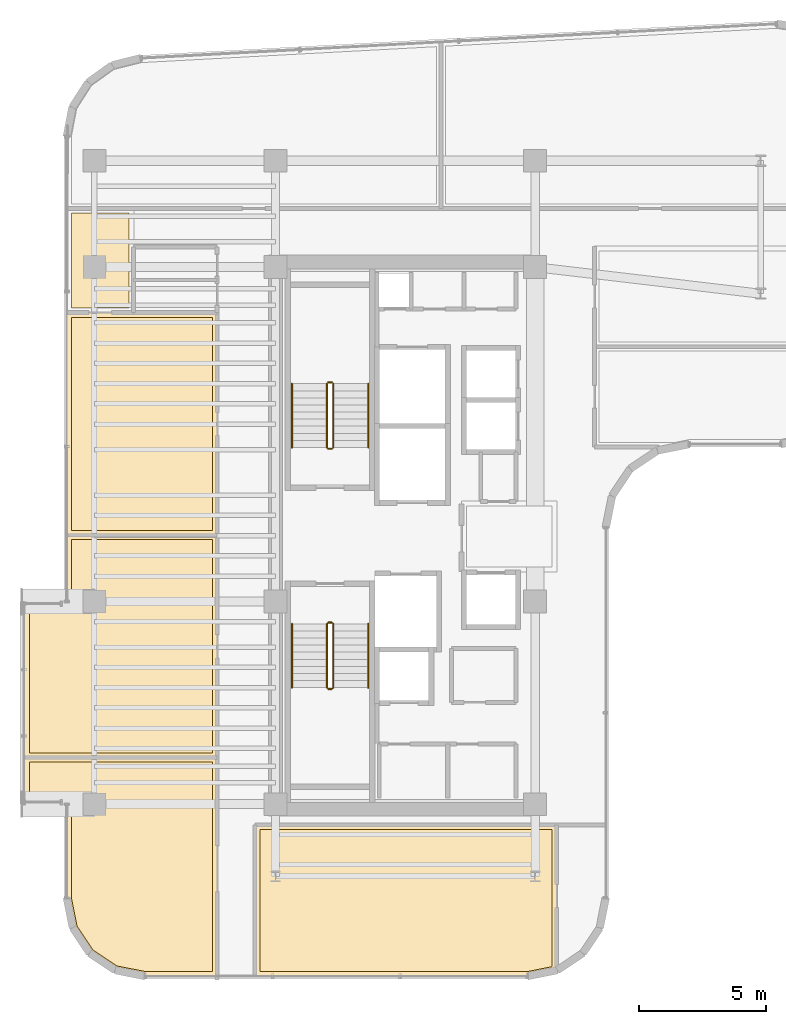
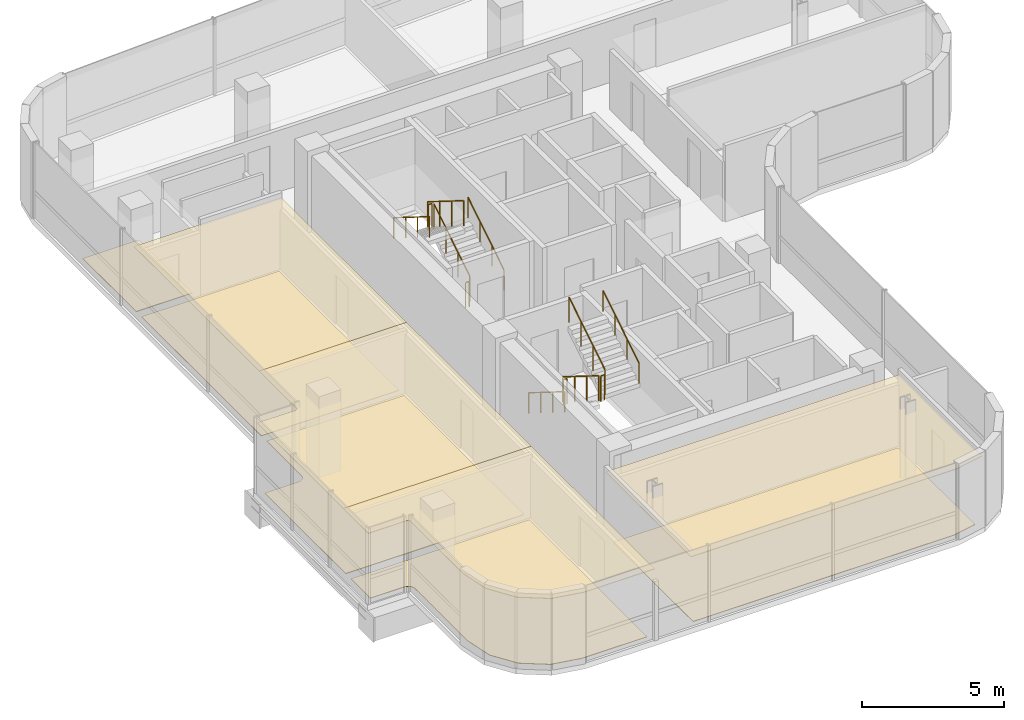
# One storey, part 21 of 22: 12 railings, 9 coverings.
"""IFC4 building model written with IfcOpenShell, lengths in metres."""

from ifc_helpers import new_model, si_unit, direction, frame, origin, origin_2d, place, context, subcontext, project, spatial, polyline, circle, outline, extrude, material, layer, layer_set, type_object, element, save


model = new_model("IFC4")

# Units and contexts
model_context = context("Model", 3, precision=1e-05, world=origin(), true_north=direction((0.0, 1.0)))
body_context = subcontext(model_context, "Body", "Model", "MODEL_VIEW")
ifc_project = project(units=[si_unit("LENGTHUNIT", "METRE"), si_unit("AREAUNIT", "SQUARE_METRE"), si_unit("VOLUMEUNIT", "CUBIC_METRE"), si_unit("PLANEANGLEUNIT", "RADIAN"), si_unit("MASSUNIT", "GRAM", prefix="KILO")], contexts=[model_context])

# Site, building, storey
site_placement = place(None, origin())
site = spatial("IfcSite", under=ifc_project, at=site_placement, CompositionType="ELEMENT")
building_placement = place(site_placement, origin())
building = spatial("IfcBuilding", under=site, at=building_placement, Name="Valdorenza Pilgrim Sanctuary Tower", CompositionType="ELEMENT")
storey_placement = place(building_placement, frame((0.0, 0.0, 237.0)))
storey = spatial("IfcBuildingStorey", under=building, at=storey_placement, Name="L61", CompositionType="ELEMENT", Elevation=237.0)

# Coverings
ifc_material_1 = material(Name="Micro-perforated acoustic mineral ceiling tile", Category="gypsum")
ifc_layer_1 = layer(ifc_material_1, 0.02490234375, Name="Micro-perforated acoustic mineral ceiling tile")
ifc_layer_set_1 = layer_set([ifc_layer_1], Name="Micro-perforated acoustic mineral ceiling tile")
covering_type_1 = type_object("IfcCoveringType", Name="COV-CLG-ACU", PredefinedType="CEILING", material=ifc_layer_set_1)
covering_1_placement = place(storey_placement, frame((0.0, 0.0, 2.9599609375)))
element("IfcCovering", 1, at=covering_1_placement, inside=storey, type_object=covering_type_1, Name="L61 Main Pilgrim Dining Restaurant L61 Acoustic Ceiling", PredefinedType="CEILING", context=body_context, shape_type="SweptSolid", body=[
    extrude(outline(polyline([(-24.93505859375, -17.389892578125), (-24.93505859375, -17.3916015625), (-24.935302734375, -17.392822265625), (-24.935546875, -17.394287109375), (-24.93603515625, -17.395751953125), (-24.936767578125, -17.397216796875), (-24.9375, -17.398193359375), (-24.9384765625, -17.3994140625), (-24.939453125, -17.400634765625), (-24.9404296875, -17.401611328125), (-24.941650390625, -17.402587890625), (-24.94287109375, -17.4033203125), (-24.9443359375, -17.40380859375), (-24.945556640625, -17.404296875), (-24.947021484375, -17.40478515625), (-24.948486328125, -17.40478515625), (-24.949951171875, -17.405029296875), (-27.789306640625, -17.405029296875), (-27.79052734375, -17.40478515625), (-27.7919921875, -17.40478515625), (-28.984619140625, -17.16748046875), (-28.986083984375, -17.1669921875), (-28.9873046875, -17.16650390625), (-28.98876953125, -17.166015625), (-28.989990234375, -17.165283203125), (-29.99169921875, -16.495849609375), (-29.992919921875, -16.4951171875), (-29.993896484375, -16.493896484375), (-29.9951171875, -16.492919921875), (-29.995849609375, -16.49169921875), (-30.665283203125, -15.489990234375), (-30.666015625, -15.48876953125), (-30.66650390625, -15.4873046875), (-30.6669921875, -15.486083984375), (-30.66748046875, -15.484619140625), (-30.90478515625, -14.2919921875), (-30.90478515625, -14.29052734375), (-30.905029296875, -14.289306640625), (-30.905029296875, -10.600341796875), (-30.905517578125, -10.5908203125), (-30.90673828125, -10.58154296875), (-30.9091796875, -10.572509765625), (-30.912109375, -10.563720703125), (-30.916259765625, -10.55517578125), (-30.9208984375, -10.547119140625), (-30.926513671875, -10.539794921875), (-30.932861328125, -10.53271484375), (-30.939697265625, -10.526611328125), (-30.947265625, -10.52099609375), (-30.955078125, -10.51611328125), (-30.963623046875, -10.51220703125), (-30.972412109375, -10.509033203125), (-30.9814453125, -10.5068359375), (-30.99072265625, -10.505615234375), (-31.00048828125, -10.5048828125), (-32.5400390625, -10.5048828125), (-32.54150390625, -10.5048828125), (-32.54296875, -10.504638671875), (-32.54443359375, -10.50439453125), (-32.545654296875, -10.50390625), (-32.547119140625, -10.503173828125), (-32.54833984375, -10.50244140625), (-32.549560546875, -10.501708984375), (-32.550537109375, -10.50048828125), (-32.551513671875, -10.49951171875), (-32.552490234375, -10.498291015625), (-32.55322265625, -10.4970703125), (-32.553955078125, -10.49560546875), (-32.554443359375, -10.494384765625), (-32.5546875, -10.492919921875), (-32.554931640625, -10.491455078125), (-32.554931640625, -10.489990234375), (-32.554931640625, -8.760009765625), (-32.554931640625, -8.758544921875), (-32.5546875, -8.757080078125), (-32.554443359375, -8.755615234375), (-32.553955078125, -8.75439453125), (-32.55322265625, -8.7529296875), (-32.552490234375, -8.751708984375), (-32.551513671875, -8.75048828125), (-32.550537109375, -8.74951171875), (-32.549560546875, -8.748291015625), (-32.54833984375, -8.74755859375), (-32.547119140625, -8.746826171875), (-32.545654296875, -8.74609375), (-32.54443359375, -8.74560546875), (-32.54296875, -8.745361328125), (-32.54150390625, -8.7451171875), (-32.5400390625, -8.7451171875), (-24.949951171875, -8.7451171875), (-24.948486328125, -8.7451171875), (-24.947021484375, -8.745361328125), (-24.945556640625, -8.74560546875), (-24.9443359375, -8.74609375), (-24.94287109375, -8.746826171875), (-24.941650390625, -8.74755859375), (-24.9404296875, -8.748291015625), (-24.939453125, -8.74951171875), (-24.9384765625, -8.75048828125), (-24.9375, -8.751708984375), (-24.936767578125, -8.7529296875), (-24.93603515625, -8.75439453125), (-24.935546875, -8.755615234375), (-24.935302734375, -8.757080078125), (-24.93505859375, -8.758544921875), (-24.93505859375, -8.760009765625), (-24.93505859375, -17.389892578125)])), origin(), (0.0, 0.0, 1.0), 0.025146484375),
])
covering_2_placement = place(storey_placement, frame((0.0, 0.0, 2.9599609375)))
element("IfcCovering", 2, at=covering_2_placement, inside=storey, type_object=covering_type_1, Name="L61 Commercial Refectory Kitchen L61 Acoustic Ceiling", PredefinedType="CEILING", context=body_context, shape_type="SweptSolid", body=[
    extrude(outline(polyline([(-24.93505859375, -8.758056640625), (-24.93505859375, -8.759521484375), (-24.935302734375, -8.760986328125), (-24.935546875, -8.762451171875), (-24.93603515625, -8.763671875), (-24.936767578125, -8.76513671875), (-24.9375, -8.766357421875), (-24.9384765625, -8.767578125), (-24.939453125, -8.7685546875), (-24.9404296875, -8.76953125), (-24.941650390625, -8.7705078125), (-24.94287109375, -8.771240234375), (-24.9443359375, -8.77197265625), (-24.945556640625, -8.7724609375), (-24.947021484375, -8.772705078125), (-24.948486328125, -8.77294921875), (-24.949951171875, -8.77294921875), (-32.5400390625, -8.77294921875), (-32.54150390625, -8.77294921875), (-32.54296875, -8.772705078125), (-32.54443359375, -8.7724609375), (-32.545654296875, -8.77197265625), (-32.547119140625, -8.771240234375), (-32.54833984375, -8.7705078125), (-32.549560546875, -8.76953125), (-32.550537109375, -8.7685546875), (-32.551513671875, -8.767578125), (-32.552490234375, -8.766357421875), (-32.55322265625, -8.76513671875), (-32.553955078125, -8.763671875), (-32.554443359375, -8.762451171875), (-32.5546875, -8.760986328125), (-32.554931640625, -8.759521484375), (-32.554931640625, -8.758056640625), (-32.554931640625, -2.7099609375), (-32.554931640625, -2.70849609375), (-32.5546875, -2.70703125), (-32.554443359375, -2.70556640625), (-32.553955078125, -2.704345703125), (-32.55322265625, -2.702880859375), (-32.552490234375, -2.70166015625), (-32.551513671875, -2.700439453125), (-32.550537109375, -2.699462890625), (-32.549560546875, -2.698486328125), (-32.54833984375, -2.697509765625), (-32.547119140625, -2.69677734375), (-32.545654296875, -2.696044921875), (-32.54443359375, -2.695556640625), (-32.54296875, -2.6953125), (-32.54150390625, -2.695068359375), (-32.5400390625, -2.695068359375), (-31.00048828125, -2.695068359375), (-30.99072265625, -2.694580078125), (-30.9814453125, -2.693115234375), (-30.972412109375, -2.69091796875), (-30.963623046875, -2.687744140625), (-30.955078125, -2.683837890625), (-30.947265625, -2.678955078125), (-30.939697265625, -2.67333984375), (-30.932861328125, -2.667236328125), (-30.926513671875, -2.660400390625), (-30.9208984375, -2.65283203125), (-30.916259765625, -2.644775390625), (-30.912109375, -2.63623046875), (-30.9091796875, -2.627685546875), (-30.90673828125, -2.618408203125), (-30.905517578125, -2.609375), (-30.905029296875, -2.599609375), (-30.905029296875, 0.02001953125), (-30.90478515625, 0.021484375), (-30.90478515625, 0.02294921875), (-30.904296875, 0.0244140625), (-30.90380859375, 0.025634765625), (-30.9033203125, 0.027099609375), (-30.902587890625, 0.0283203125), (-30.901611328125, 0.029541015625), (-30.900634765625, 0.030517578125), (-30.8994140625, 0.031494140625), (-30.898193359375, 0.032470703125), (-30.897216796875, 0.033203125), (-30.895751953125, 0.033935546875), (-30.894287109375, 0.034423828125), (-30.892822265625, 0.03466796875), (-30.8916015625, 0.034912109375), (-30.889892578125, 0.034912109375), (-24.949951171875, 0.034912109375), (-24.948486328125, 0.034912109375), (-24.947021484375, 0.03466796875), (-24.945556640625, 0.034423828125), (-24.9443359375, 0.033935546875), (-24.94287109375, 0.033203125), (-24.941650390625, 0.032470703125), (-24.9404296875, 0.031494140625), (-24.939453125, 0.030517578125), (-24.9384765625, 0.029541015625), (-24.9375, 0.0283203125), (-24.936767578125, 0.027099609375), (-24.93603515625, 0.025634765625), (-24.935546875, 0.0244140625), (-24.935302734375, 0.02294921875), (-24.93505859375, 0.021484375), (-24.93505859375, 0.02001953125), (-24.93505859375, -8.758056640625)])), origin(), (0.0, 0.0, 1.0), 0.025146484375),
])
covering_3_placement = place(storey_placement, frame((0.0, 0.0, 2.9599609375)))
element("IfcCovering", 3, at=covering_3_placement, inside=storey, type_object=covering_type_1, Name="L61 Private Banquet Dining Room L61 Acoustic Ceiling", PredefinedType="CEILING", context=body_context, shape_type="SweptSolid", body=[
    extrude(outline(polyline([(-28.253662109375, 8.81298828125), (-28.253173828125, 8.81298828125), (-28.25146484375, 8.813232421875), (-28.25, 8.813232421875), (-28.24853515625, 8.81298828125), (-28.248291015625, 8.81298828125), (-24.949951171875, 8.81298828125), (-24.948486328125, 8.81298828125), (-24.947021484375, 8.812744140625), (-24.945556640625, 8.8125), (-24.9443359375, 8.81201171875), (-24.94287109375, 8.811279296875), (-24.941650390625, 8.810546875), (-24.9404296875, 8.8095703125), (-24.939453125, 8.80859375), (-24.9384765625, 8.8076171875), (-24.9375, 8.806396484375), (-24.936767578125, 8.80517578125), (-24.93603515625, 8.8037109375), (-24.935546875, 8.802490234375), (-24.935302734375, 8.80078125), (-24.93505859375, 8.799560546875), (-24.93505859375, 8.798095703125), (-24.93505859375, 0.02197265625), (-24.93505859375, 0.0205078125), (-24.935302734375, 0.01904296875), (-24.935546875, 0.017578125), (-24.93603515625, 0.016357421875), (-24.936767578125, 0.014892578125), (-24.9375, 0.013671875), (-24.9384765625, 0.012451171875), (-24.939453125, 0.011474609375), (-24.9404296875, 0.010498046875), (-24.941650390625, 0.009521484375), (-24.94287109375, 0.0087890625), (-24.9443359375, 0.008056640625), (-24.945556640625, 0.007568359375), (-24.947021484375, 0.00732421875), (-24.948486328125, 0.007080078125), (-24.949951171875, 0.007080078125), (-30.889892578125, 0.007080078125), (-30.8916015625, 0.007080078125), (-30.892822265625, 0.00732421875), (-30.894287109375, 0.007568359375), (-30.895751953125, 0.008056640625), (-30.897216796875, 0.0087890625), (-30.898193359375, 0.009521484375), (-30.8994140625, 0.010498046875), (-30.900634765625, 0.011474609375), (-30.901611328125, 0.012451171875), (-30.902587890625, 0.013671875), (-30.9033203125, 0.014892578125), (-30.90380859375, 0.016357421875), (-30.904296875, 0.017578125), (-30.90478515625, 0.01904296875), (-30.90478515625, 0.0205078125), (-30.905029296875, 0.02197265625), (-30.905029296875, 8.798095703125), (-30.90478515625, 8.799560546875), (-30.90478515625, 8.80078125), (-30.904296875, 8.802490234375), (-30.90380859375, 8.8037109375), (-30.9033203125, 8.80517578125), (-30.902587890625, 8.806396484375), (-30.901611328125, 8.8076171875), (-30.900634765625, 8.80859375), (-30.8994140625, 8.8095703125), (-30.898193359375, 8.810546875), (-30.897216796875, 8.811279296875), (-30.895751953125, 8.81201171875), (-30.894287109375, 8.8125), (-30.892822265625, 8.812744140625), (-30.8916015625, 8.81298828125), (-30.889892578125, 8.81298828125), (-28.253662109375, 8.81298828125)])), origin(), (0.0, 0.0, 1.0), 0.025146484375),
])
covering_4_placement = place(storey_placement, frame((0.0, 0.0, 2.9599609375)))
element("IfcCovering", 4, at=covering_4_placement, inside=storey, type_object=covering_type_1, Name="L61 South Contemplation Lounge L61 Acoustic Ceiling", PredefinedType="CEILING", context=body_context, shape_type="SweptSolid", body=[
    extrude(outline(polyline([(-11.550048828125, -11.405029296875), (-11.548583984375, -11.405029296875), (-11.547119140625, -11.4052734375), (-11.545654296875, -11.405517578125), (-11.544189453125, -11.406005859375), (-11.54296875, -11.40673828125), (-11.541748046875, -11.407470703125), (-11.54052734375, -11.408447265625), (-11.539306640625, -11.409423828125), (-11.538330078125, -11.410400390625), (-11.53759765625, -11.41162109375), (-11.536865234375, -11.412841796875), (-11.5361328125, -11.414306640625), (-11.53564453125, -11.41552734375), (-11.535400390625, -11.4169921875), (-11.53515625, -11.41845703125), (-11.534912109375, -11.419921875), (-11.534912109375, -17.1591796875), (-11.53515625, -17.16064453125), (-11.535400390625, -17.162109375), (-11.53564453125, -17.163330078125), (-11.5361328125, -17.164794921875), (-11.536865234375, -17.166259765625), (-11.53759765625, -17.16748046875), (-11.538330078125, -17.168701171875), (-11.539306640625, -17.169677734375), (-11.54052734375, -17.170654296875), (-11.541748046875, -17.171630859375), (-11.54296875, -17.17236328125), (-11.544189453125, -17.1728515625), (-11.545654296875, -17.17333984375), (-11.547119140625, -17.173828125), (-12.7080078125, -17.40478515625), (-12.70947265625, -17.40478515625), (-12.710693359375, -17.405029296875), (-23.449951171875, -17.405029296875), (-23.451416015625, -17.40478515625), (-23.452880859375, -17.40478515625), (-23.454345703125, -17.404296875), (-23.455810546875, -17.40380859375), (-23.45703125, -17.4033203125), (-23.458251953125, -17.402587890625), (-23.45947265625, -17.401611328125), (-23.460693359375, -17.400634765625), (-23.461669921875, -17.3994140625), (-23.46240234375, -17.398193359375), (-23.463134765625, -17.397216796875), (-23.4638671875, -17.395751953125), (-23.46435546875, -17.394287109375), (-23.464599609375, -17.392822265625), (-23.46484375, -17.3916015625), (-23.465087890625, -17.389892578125), (-23.465087890625, -11.419921875), (-23.46484375, -11.41845703125), (-23.464599609375, -11.4169921875), (-23.46435546875, -11.41552734375), (-23.4638671875, -11.414306640625), (-23.463134765625, -11.412841796875), (-23.46240234375, -11.41162109375), (-23.461669921875, -11.410400390625), (-23.460693359375, -11.409423828125), (-23.45947265625, -11.408447265625), (-23.458251953125, -11.407470703125), (-23.45703125, -11.40673828125), (-23.455810546875, -11.406005859375), (-23.454345703125, -11.405517578125), (-23.452880859375, -11.4052734375), (-23.451416015625, -11.405029296875), (-23.449951171875, -11.405029296875), (-11.550048828125, -11.405029296875)])), origin(), (0.0, 0.0, 1.0), 0.025146484375),
])
ifc_material_2 = material(Name="Engineered European oak timber flooring", Category="wood")
ifc_layer_2 = layer(ifc_material_2, 0.02197265625, Name="Engineered European oak timber flooring")
ifc_layer_set_2 = layer_set([ifc_layer_2], Name="Engineered European oak timber flooring")
covering_type_2 = type_object("IfcCoveringType", Name="COV-FLR-OAK", PredefinedType="FLOORING", material=ifc_layer_set_2)
covering_5_placement = place(storey_placement, origin())
element("IfcCovering", 5, at=covering_5_placement, inside=storey, type_object=covering_type_2, Name="L61 Private Banquet Dining Room L61 Flooring", PredefinedType="FLOORING", context=body_context, shape_type="SweptSolid", body=[
    extrude(outline(polyline([(-28.250244140625, 8.617919921875), (-28.25, 8.617919921875), (-25.1298828125, 8.617919921875), (-25.1298828125, 0.201904296875), (-30.7099609375, 0.201904296875), (-30.7099609375, 8.617919921875), (-28.251953125, 8.617919921875), (-28.2509765625, 8.617919921875), (-28.250244140625, 8.617919921875)])), origin(), (0.0, 0.0, 1.0), 0.02490234375),
])
ifc_material_3 = material(Name="Honed travertine stone flooring", Category="masonry")
ifc_layer_3 = layer(ifc_material_3, 0.030029296875, Name="Honed travertine stone flooring")
ifc_layer_set_3 = layer_set([ifc_layer_3], Name="Honed travertine stone flooring")
covering_type_3 = type_object("IfcCoveringType", Name="COV-FLR-TRV", PredefinedType="FLOORING", material=ifc_layer_set_3)
covering_6_placement = place(storey_placement, origin())
element("IfcCovering", 6, at=covering_6_placement, inside=storey, type_object=covering_type_3, Name="L61 Pilgrim Scholar Office L61-WN Flooring", PredefinedType="FLOORING", context=body_context, shape_type="SweptSolid", body=[
    extrude(outline(polyline([(-28.431884765625, 10.100341796875), (-28.431884765625, 10.10009765625), (-28.431884765625, 8.97998046875), (-30.7099609375, 8.97998046875), (-30.7099609375, 12.739990234375), (-28.429931640625, 12.739990234375), (-28.429931640625, 11.427001953125), (-28.429931640625, 11.4267578125), (-28.429931640625, 11.426513671875), (-28.431884765625, 11.408935546875), (-28.431884765625, 11.40869140625), (-28.431884765625, 11.39990234375), (-28.431884765625, 10.10205078125), (-28.431884765625, 10.10107421875), (-28.431884765625, 10.100341796875)])), origin(), (0.0, 0.0, 1.0), 0.02490234375),
])
covering_7_placement = place(storey_placement, origin())
element("IfcCovering", 7, at=covering_7_placement, inside=storey, type_object=covering_type_3, Name="L61 Main Pilgrim Dining Restaurant L61 Flooring", PredefinedType="FLOORING", context=body_context, shape_type="SweptSolid", body=[
    extrude(outline(polyline([(-25.1298828125, -17.2099609375), (-27.771484375, -17.2099609375), (-28.911376953125, -16.983154296875), (-29.853515625, -16.353515625), (-30.483154296875, -15.411376953125), (-30.7099609375, -14.271484375), (-30.7099609375, -10.60009765625), (-30.710205078125, -10.59130859375), (-30.710693359375, -10.580322265625), (-30.71240234375, -10.562744140625), (-30.714111328125, -10.552001953125), (-30.717529296875, -10.534912109375), (-30.72021484375, -10.5244140625), (-30.725341796875, -10.50732421875), (-30.72900390625, -10.497314453125), (-30.735595703125, -10.48095703125), (-30.740234375, -10.47119140625), (-30.74853515625, -10.45556640625), (-30.754150390625, -10.4462890625), (-30.763916015625, -10.431640625), (-30.7705078125, -10.423095703125), (-30.781494140625, -10.4091796875), (-30.788818359375, -10.4013671875), (-30.80126953125, -10.388916015625), (-30.809326171875, -10.381591796875), (-30.822998046875, -10.370361328125), (-30.831787109375, -10.364013671875), (-30.84619140625, -10.35400390625), (-30.855712890625, -10.3486328125), (-30.87109375, -10.34033203125), (-30.880859375, -10.335693359375), (-30.897216796875, -10.328857421875), (-30.907470703125, -10.3251953125), (-30.92431640625, -10.320068359375), (-30.934814453125, -10.3173828125), (-30.9521484375, -10.314208984375), (-30.962890625, -10.3125), (-30.98046875, -10.310791015625), (-30.9912109375, -10.310302734375), (-31.0, -10.31005859375), (-32.360107421875, -10.31005859375), (-32.360107421875, -8.93994140625), (-25.1298828125, -8.93994140625), (-25.1298828125, -17.2099609375)])), origin(), (0.0, 0.0, 1.0), 0.02490234375),
])
covering_8_placement = place(storey_placement, origin())
element("IfcCovering", 8, at=covering_8_placement, inside=storey, type_object=covering_type_3, Name="L61 Commercial Refectory Kitchen L61 Flooring", PredefinedType="FLOORING", context=body_context, shape_type="SweptSolid", body=[
    extrude(outline(polyline([(-25.1298828125, -8.577880859375), (-32.360107421875, -8.577880859375), (-32.360107421875, -2.889892578125), (-31.0, -2.889892578125), (-30.9912109375, -2.889892578125), (-30.98046875, -2.889404296875), (-30.962890625, -2.887451171875), (-30.9521484375, -2.885986328125), (-30.934814453125, -2.882568359375), (-30.92431640625, -2.8798828125), (-30.907470703125, -2.874755859375), (-30.897216796875, -2.87109375), (-30.880859375, -2.8642578125), (-30.87109375, -2.859619140625), (-30.855712890625, -2.851318359375), (-30.84619140625, -2.845947265625), (-30.831787109375, -2.8359375), (-30.822998046875, -2.82958984375), (-30.809326171875, -2.818359375), (-30.80126953125, -2.811279296875), (-30.788818359375, -2.798583984375), (-30.781494140625, -2.790771484375), (-30.7705078125, -2.777099609375), (-30.763916015625, -2.768310546875), (-30.754150390625, -2.753662109375), (-30.74853515625, -2.744384765625), (-30.740234375, -2.728759765625), (-30.735595703125, -2.718994140625), (-30.72900390625, -2.70263671875), (-30.725341796875, -2.692626953125), (-30.72021484375, -2.67578125), (-30.717529296875, -2.665283203125), (-30.714111328125, -2.64794921875), (-30.71240234375, -2.63720703125), (-30.710693359375, -2.61962890625), (-30.710205078125, -2.60888671875), (-30.7099609375, -2.60009765625), (-30.7099609375, -0.159912109375), (-25.1298828125, -0.159912109375), (-25.1298828125, -8.577880859375)])), origin(), (0.0, 0.0, 1.0), 0.02490234375),
])
covering_9_placement = place(storey_placement, origin())
element("IfcCovering", 9, at=covering_9_placement, inside=storey, type_object=covering_type_3, Name="L61 South Contemplation Lounge L61 Flooring", PredefinedType="FLOORING", context=body_context, shape_type="SweptSolid", body=[
    extrude(outline(polyline([(-11.72998046875, -11.60009765625), (-11.72998046875, -17.011474609375), (-12.728515625, -17.2099609375), (-23.27001953125, -17.2099609375), (-23.27001953125, -11.60009765625), (-11.72998046875, -11.60009765625)])), origin(), (0.0, 0.0, 1.0), 0.02490234375),
])

# Railings
ifc_material_4 = material(Name="Stainless steel Grade 316", Category="steel")
railing_type_1 = type_object("IfcRailingType", Name="RLG-GRD-1120", PredefinedType="GUARDRAIL", material=ifc_material_4)
railing_1_placement = place(storey_placement, frame((-20.3701171875, 3.47998046875, 0.175048828125)))
element("IfcRailing", 10, at=railing_1_placement, inside=storey, type_object=railing_type_1, Name="L61 ST-A1 stair guard 1", PredefinedType="GUARDRAIL", context=body_context, shape_type="SweptSolid", body=[
    extrude(circle(Radius=0.02392578125, at=origin_2d()), frame((0.0, 0.0, 1.076171875), z_axis=(0.0, 0.848007534815, 0.529984170421), x_axis=(-1.0, 0.0, 0.0)), (0.0, 0.0, 1.0), 2.9716796875),
    extrude(circle(Radius=0.02099609375, at=origin_2d()), origin(), (0.0, 0.0, 1.0), 1.052001953125),
    extrude(circle(Radius=0.02099609375, at=origin_2d()), frame((0.0, 0.840087890625, 0.52490234375)), (0.0, 0.0, 1.0), 1.052001953125),
    extrude(circle(Radius=0.02099609375, at=origin_2d()), frame((0.0, 1.679931640625, 1.050048828125)), (0.0, 0.0, 1.0), 1.052001953125),
    extrude(circle(Radius=0.02099609375, at=origin_2d()), frame((0.0, 2.52001953125, 1.574951171875)), (0.0, 0.0, 1.0), 1.052001953125),
])
railing_2_placement = place(storey_placement, frame((-20.419921875, 6.050048828125, 1.75)))
element("IfcRailing", 11, at=railing_2_placement, inside=storey, type_object=railing_type_1, Name="L61 ST-A1 stair guard 2", PredefinedType="GUARDRAIL", context=body_context, shape_type="SweptSolid", body=[
    extrude(circle(Radius=0.02392578125, at=origin_2d()), frame((0.0, 0.0, 1.076171875), z_axis=(-1.0, 0.0, 0.0), x_axis=(0.0, -1.0, 0.0)), (0.0, 0.0, 1.0), 0.150146484375),
    extrude(circle(Radius=0.02099609375, at=origin_2d()), origin(), (0.0, 0.0, 1.0), 1.052001953125),
    extrude(circle(Radius=0.02099609375, at=origin_2d()), frame((-0.150146484375, 0.0, 0.0)), (0.0, 0.0, 1.0), 1.052001953125),
])
railing_3_placement = place(storey_placement, frame((-20.6201171875, 6.0, 1.925048828125)))
element("IfcRailing", 12, at=railing_3_placement, inside=storey, type_object=railing_type_1, Name="L61 ST-A1 stair guard 3", PredefinedType="GUARDRAIL", context=body_context, shape_type="SweptSolid", body=[
    extrude(circle(Radius=0.02392578125, at=origin_2d()), frame((0.0, 0.0, 1.076171875), z_axis=(0.0, -0.848007534815, 0.529984170421), x_axis=(1.0, 0.0, 0.0)), (0.0, 0.0, 1.0), 2.9716796875),
    extrude(circle(Radius=0.02099609375, at=origin_2d()), origin(), (0.0, 0.0, 1.0), 1.052001953125),
    extrude(circle(Radius=0.02099609375, at=origin_2d()), frame((0.0, -0.840087890625, 0.52490234375)), (0.0, 0.0, 1.0), 1.052001953125),
    extrude(circle(Radius=0.02099609375, at=origin_2d()), frame((0.0, -1.679931640625, 1.050048828125)), (0.0, 0.0, 1.0), 1.052001953125),
    extrude(circle(Radius=0.02099609375, at=origin_2d()), frame((0.0, -2.52001953125, 1.574951171875)), (0.0, 0.0, 1.0), 1.052001953125),
])
railing_4_placement = place(storey_placement, frame((-20.419921875, 3.429931640625, 0.0)))
element("IfcRailing", 13, at=railing_4_placement, inside=storey, type_object=railing_type_1, Name="L61 ST-A1 stair guard 4", PredefinedType="GUARDRAIL", context=body_context, shape_type="SweptSolid", body=[
    extrude(circle(Radius=0.02392578125, at=origin_2d()), frame((0.0, 0.0, 1.076171875), z_axis=(-1.0, 0.0, 0.0), x_axis=(0.0, -1.0, 0.0)), (0.0, 0.0, 1.0), 0.150146484375),
    extrude(circle(Radius=0.02099609375, at=origin_2d()), origin(), (0.0, 0.0, 1.0), 1.052001953125),
    extrude(circle(Radius=0.02099609375, at=origin_2d()), frame((-0.150146484375, 0.0, 0.0)), (0.0, 0.0, 1.0), 1.052001953125),
])
railing_5_placement = place(storey_placement, frame((-20.6201171875, -3.47998046875, 0.175048828125)))
element("IfcRailing", 14, at=railing_5_placement, inside=storey, type_object=railing_type_1, Name="L61 ST-A2 stair guard 1", PredefinedType="GUARDRAIL", context=body_context, shape_type="SweptSolid", body=[
    extrude(circle(Radius=0.02392578125, at=origin_2d()), frame((0.0, 0.0, 1.076171875), z_axis=(0.0, -0.848007534815, 0.529984170421), x_axis=(1.0, 0.0, 0.0)), (0.0, 0.0, 1.0), 2.9716796875),
    extrude(circle(Radius=0.02099609375, at=origin_2d()), origin(), (0.0, 0.0, 1.0), 1.052001953125),
    extrude(circle(Radius=0.02099609375, at=origin_2d()), frame((0.0, -0.840087890625, 0.52490234375)), (0.0, 0.0, 1.0), 1.052001953125),
    extrude(circle(Radius=0.02099609375, at=origin_2d()), frame((0.0, -1.679931640625, 1.050048828125)), (0.0, 0.0, 1.0), 1.052001953125),
    extrude(circle(Radius=0.02099609375, at=origin_2d()), frame((0.0, -2.52001953125, 1.574951171875)), (0.0, 0.0, 1.0), 1.052001953125),
])
railing_6_placement = place(storey_placement, frame((-20.570068359375, -6.050048828125, 1.75)))
element("IfcRailing", 15, at=railing_6_placement, inside=storey, type_object=railing_type_1, Name="L61 ST-A2 stair guard 2", PredefinedType="GUARDRAIL", context=body_context, shape_type="SweptSolid", body=[
    extrude(circle(Radius=0.02392578125, at=origin_2d()), frame((0.0, 0.0, 1.076171875), z_axis=(1.0, 0.0, 0.0), x_axis=(0.0, 1.0, 0.0)), (0.0, 0.0, 1.0), 0.150146484375),
    extrude(circle(Radius=0.02099609375, at=origin_2d()), origin(), (0.0, 0.0, 1.0), 1.052001953125),
    extrude(circle(Radius=0.02099609375, at=origin_2d()), frame((0.150146484375, 0.0, 0.0)), (0.0, 0.0, 1.0), 1.052001953125),
])
railing_7_placement = place(storey_placement, frame((-20.3701171875, -6.0, 1.925048828125)))
element("IfcRailing", 16, at=railing_7_placement, inside=storey, type_object=railing_type_1, Name="L61 ST-A2 stair guard 3", PredefinedType="GUARDRAIL", context=body_context, shape_type="SweptSolid", body=[
    extrude(circle(Radius=0.02392578125, at=origin_2d()), frame((0.0, 0.0, 1.076171875), z_axis=(0.0, 0.848007534815, 0.529984170421), x_axis=(-1.0, 0.0, 0.0)), (0.0, 0.0, 1.0), 2.9716796875),
    extrude(circle(Radius=0.02099609375, at=origin_2d()), origin(), (0.0, 0.0, 1.0), 1.052001953125),
    extrude(circle(Radius=0.02099609375, at=origin_2d()), frame((0.0, 0.840087890625, 0.52490234375)), (0.0, 0.0, 1.0), 1.052001953125),
    extrude(circle(Radius=0.02099609375, at=origin_2d()), frame((0.0, 1.679931640625, 1.050048828125)), (0.0, 0.0, 1.0), 1.052001953125),
    extrude(circle(Radius=0.02099609375, at=origin_2d()), frame((0.0, 2.52001953125, 1.574951171875)), (0.0, 0.0, 1.0), 1.052001953125),
])
railing_8_placement = place(storey_placement, frame((-20.570068359375, -3.429931640625, 0.0)))
element("IfcRailing", 17, at=railing_8_placement, inside=storey, type_object=railing_type_1, Name="L61 ST-A2 stair guard 4", PredefinedType="GUARDRAIL", context=body_context, shape_type="SweptSolid", body=[
    extrude(circle(Radius=0.02392578125, at=origin_2d()), frame((0.0, 0.0, 1.076171875), z_axis=(1.0, 0.0, 0.0), x_axis=(0.0, 1.0, 0.0)), (0.0, 0.0, 1.0), 0.150146484375),
    extrude(circle(Radius=0.02099609375, at=origin_2d()), origin(), (0.0, 0.0, 1.0), 1.052001953125),
    extrude(circle(Radius=0.02099609375, at=origin_2d()), frame((0.150146484375, 0.0, 0.0)), (0.0, 0.0, 1.0), 1.052001953125),
])
ifc_material_5 = material(Name="Brushed stainless steel Grade 316", Category="steel")
railing_type_2 = type_object("IfcRailingType", Name="RLG-HND-920", PredefinedType="HANDRAIL", material=ifc_material_5)
railing_9_placement = place(storey_placement, frame((-18.989990234375, 3.47998046875, 0.175048828125)))
element("IfcRailing", 18, at=railing_9_placement, inside=storey, type_object=railing_type_2, Name="L61 ST-A1 stair handrail 1", PredefinedType="HANDRAIL", context=body_context, shape_type="SweptSolid", body=[
    extrude(circle(Radius=0.02392578125, at=origin_2d()), frame((0.0, 0.0, 0.8759765625), z_axis=(0.0, 0.848007534815, 0.529984170421), x_axis=(-1.0, 0.0, 0.0)), (0.0, 0.0, 1.0), 2.9716796875),
    extrude(circle(Radius=0.02099609375, at=origin_2d()), origin(), (0.0, 0.0, 1.0), 0.851806640625),
    extrude(circle(Radius=0.02099609375, at=origin_2d()), frame((0.0, 0.840087890625, 0.52490234375)), (0.0, 0.0, 1.0), 0.851806640625),
    extrude(circle(Radius=0.02099609375, at=origin_2d()), frame((0.0, 1.679931640625, 1.050048828125)), (0.0, 0.0, 1.0), 0.851806640625),
    extrude(circle(Radius=0.02099609375, at=origin_2d()), frame((0.0, 2.52001953125, 1.574951171875)), (0.0, 0.0, 1.0), 0.851806640625),
])
for number, where, name in (
    (19, (-22.0, 6.0, 1.925048828125), "L61 ST-A1 stair handrail 2"),
    (20, (-22.0, -3.47998046875, 0.175048828125), "L61 ST-A2 stair handrail 1"),
):
    element("IfcRailing", number, at=place(storey_placement, frame(where)), inside=storey, type_object=railing_type_2, Name=name, PredefinedType="HANDRAIL", context=body_context, shape_type="SweptSolid", body=[
        extrude(circle(Radius=0.02392578125, at=origin_2d()), frame((0.0, 0.0, 0.8759765625), z_axis=(0.0, -0.848007534815, 0.529984170421), x_axis=(1.0, 0.0, 0.0)), (0.0, 0.0, 1.0), 2.9716796875),
        extrude(circle(Radius=0.02099609375, at=origin_2d()), origin(), (0.0, 0.0, 1.0), 0.851806640625),
        extrude(circle(Radius=0.02099609375, at=origin_2d()), frame((0.0, -0.840087890625, 0.52490234375)), (0.0, 0.0, 1.0), 0.851806640625),
        extrude(circle(Radius=0.02099609375, at=origin_2d()), frame((0.0, -1.679931640625, 1.050048828125)), (0.0, 0.0, 1.0), 0.851806640625),
        extrude(circle(Radius=0.02099609375, at=origin_2d()), frame((0.0, -2.52001953125, 1.574951171875)), (0.0, 0.0, 1.0), 0.851806640625),
    ])
railing_10_placement = place(storey_placement, frame((-18.989990234375, -6.0, 1.925048828125)))
element("IfcRailing", 21, at=railing_10_placement, inside=storey, type_object=railing_type_2, Name="L61 ST-A2 stair handrail 2", PredefinedType="HANDRAIL", context=body_context, shape_type="SweptSolid", body=[
    extrude(circle(Radius=0.02392578125, at=origin_2d()), frame((0.0, 0.0, 0.8759765625), z_axis=(0.0, 0.848007534815, 0.529984170421), x_axis=(-1.0, 0.0, 0.0)), (0.0, 0.0, 1.0), 2.9716796875),
    extrude(circle(Radius=0.02099609375, at=origin_2d()), origin(), (0.0, 0.0, 1.0), 0.851806640625),
    extrude(circle(Radius=0.02099609375, at=origin_2d()), frame((0.0, 0.840087890625, 0.52490234375)), (0.0, 0.0, 1.0), 0.851806640625),
    extrude(circle(Radius=0.02099609375, at=origin_2d()), frame((0.0, 1.679931640625, 1.050048828125)), (0.0, 0.0, 1.0), 0.851806640625),
    extrude(circle(Radius=0.02099609375, at=origin_2d()), frame((0.0, 2.52001953125, 1.574951171875)), (0.0, 0.0, 1.0), 0.851806640625),
])

save(model, "model.ifc")
